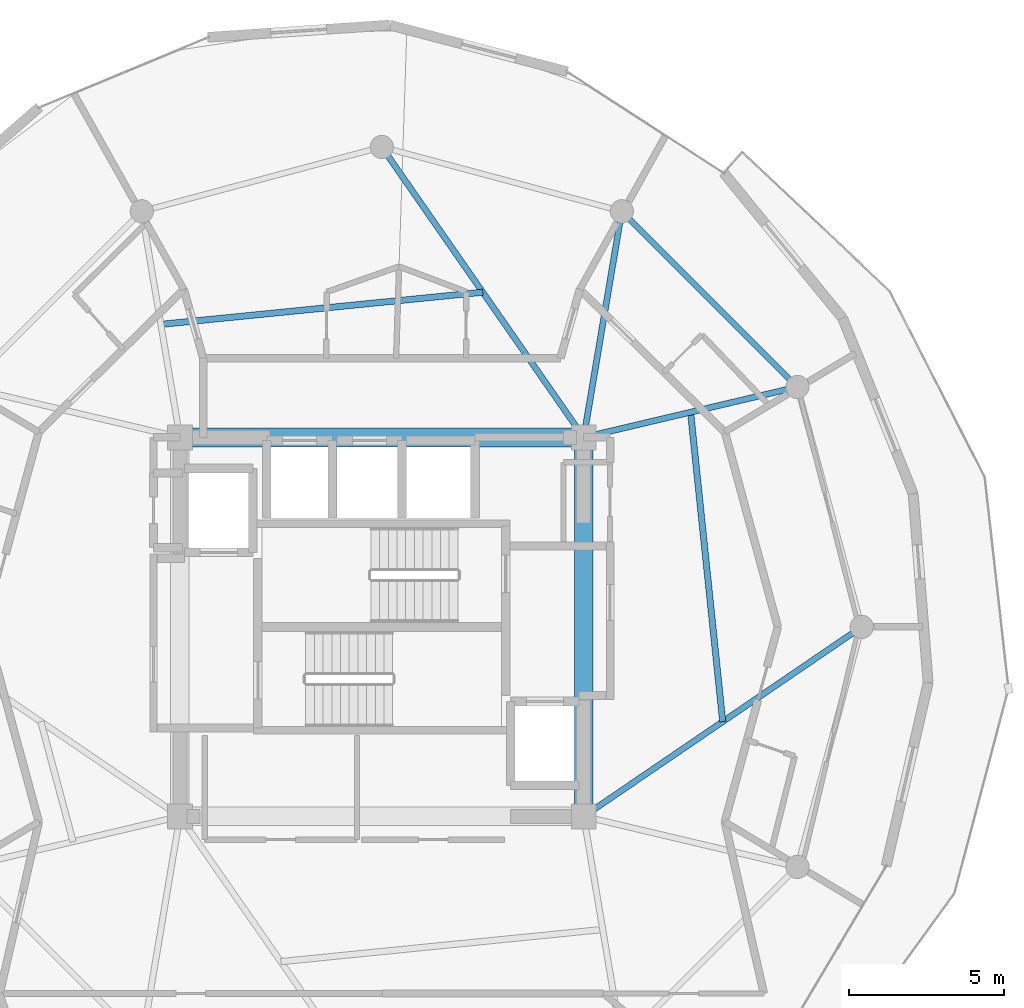
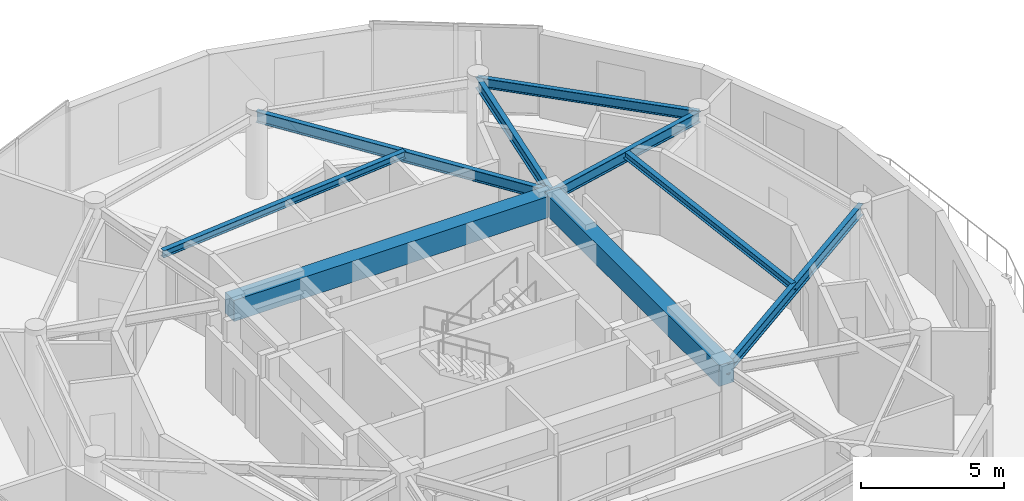
# One storey, part 11 of 22: 9 beams.
"""IFC4 building model written with IfcOpenShell, lengths in metres."""

import ifcopenshell
import ifcopenshell.guid

model = None  # the IFC model being written
_history = None  # IfcOwnerHistory: only IFC2X3 demands one
_inside = {}  # id of a spatial element -> (the spatial element, [elements in it])
_under = {}  # id of a project, library or spatial element -> (it, [spatial elements below it])
_declared = {}  # id of a project -> (the project, [libraries it declares])
_typed = {}  # id of a type object -> (the type object, [elements of that type])
_made_of = {}  # id of a material, layer set ... -> (it, [elements and type objects made of it])


def new_model(schema):
    """Start an empty IFC model of exactly this schema.

    Asked for "IFC4X3", IfcOpenShell would pick the latest addendum, in which some entities
    have other attributes; the version numbers below select the first issue.
    IFC2X3 requires an IfcOwnerHistory on every rooted entity: one is made here for all.
    """
    global model, _history
    if schema == "IFC4X3":
        model = ifcopenshell.file(schema_version=(4, 3, 0, 0))
    else:
        model = ifcopenshell.file(schema=schema)
    _inside.clear()
    _under.clear()
    _declared.clear()
    _typed.clear()
    _made_of.clear()
    _history = None
    if model.schema == "IFC2X3":
        org = make("IfcOrganization", Name="unknown")
        user = make(
            "IfcPersonAndOrganization",
            ThePerson=make("IfcPerson", FamilyName="unknown"),
            TheOrganization=org,
        )
        app = make(
            "IfcApplication",
            ApplicationDeveloper=org,
            Version="unknown",
            ApplicationFullName="unknown",
            ApplicationIdentifier="unknown",
        )
        _history = make(
            "IfcOwnerHistory",
            OwningUser=user,
            OwningApplication=app,
            ChangeAction="ADDED",
            CreationDate=0,
        )
    return model


def make(cls, **values):
    """One entity of the class cls with the attributes given. An attribute that is None is left unset."""
    return model.create_entity(
        cls, **{name: value for name, value in values.items() if value is not None}
    )


def rooted(cls, **values):
    """An entity with a GlobalId (a new one), such as an element, a storey or a relation."""
    return make(cls, GlobalId=ifcopenshell.guid.new(), OwnerHistory=_history, **values)


def si_unit(unit_type, name, prefix=None):
    """IfcSIUnit, for example si_unit("LENGTHUNIT", "METRE", prefix="MILLI")."""
    return make("IfcSIUnit", UnitType=unit_type, Prefix=prefix, Name=name)


def assignment(units):
    """IfcUnitAssignment: the units of a project."""
    return None if units is None else make("IfcUnitAssignment", Units=units)


def point(xyz):
    """IfcCartesianPoint."""
    return None if xyz is None else make("IfcCartesianPoint", Coordinates=xyz)


def direction(xyz):
    """IfcDirection."""
    return None if xyz is None else make("IfcDirection", DirectionRatios=xyz)


def frame(location, z_axis=None, x_axis=None):
    """IfcAxis2Placement3D, a coordinate frame: its origin and axes. An axis left out is left unset."""
    return make(
        "IfcAxis2Placement3D",
        Location=point(location),
        Axis=direction(z_axis),
        RefDirection=direction(x_axis),
    )


def frame_2d(location, x_axis=None):
    """IfcAxis2Placement2D, a coordinate frame in the plane: its origin and x axis."""
    return make(
        "IfcAxis2Placement2D", Location=point(location), RefDirection=direction(x_axis)
    )


def origin():
    """The frame at (0, 0, 0) with its axes left unset."""
    return frame((0.0, 0.0, 0.0))


def origin_2d():
    """The frame at (0, 0) in the plane with its x axis left unset."""
    return frame_2d((0.0, 0.0))


def place(relative_to, where):
    """IfcLocalPlacement: puts the frame where relative to a parent placement (None: the world)."""
    return make(
        "IfcLocalPlacement", PlacementRelTo=relative_to, RelativePlacement=where
    )


def context(
    kind, dimensions, precision=None, world=None, true_north=None, identifier=None
):
    """IfcGeometricRepresentationContext, for example the 3D "Model" context."""
    return make(
        "IfcGeometricRepresentationContext",
        ContextIdentifier=identifier,
        ContextType=kind,
        CoordinateSpaceDimension=dimensions,
        Precision=precision,
        WorldCoordinateSystem=world,
        TrueNorth=true_north,
    )


def subcontext(parent, identifier, kind, view, scale=None):
    """IfcGeometricRepresentationSubContext, for example "Body" below "Model"."""
    return make(
        "IfcGeometricRepresentationSubContext",
        ContextIdentifier=identifier,
        ContextType=kind,
        ParentContext=parent,
        TargetScale=scale,
        TargetView=view,
    )


def project(units=None, contexts=None):
    """IfcProject with its units and contexts."""
    return rooted(
        "IfcProject",
        Name="project",
        RepresentationContexts=contexts,
        UnitsInContext=assignment(units),
    )


def spatial(cls, under=None, at=None, **own):
    """A site, building, storey or space (cls), placed at a placement, below another one or the project."""
    s = rooted(cls, ObjectPlacement=at, **own)
    if under is not None:
        _under.setdefault(under.id(), (under, []))[1].append(s)
    return s


def profile(cls, at=None, kind="AREA", **sizes):
    """A parametric profile (cls). Its sizes go by their IFC names, for example OverallWidth=200.0."""
    return make(cls, ProfileType=kind, Position=at, **sizes)


def rectangle(**sizes):
    """IfcRectangleProfileDef."""
    return profile("IfcRectangleProfileDef", **sizes)


def i_section(**sizes):
    """IfcIShapeProfileDef."""
    return profile("IfcIShapeProfileDef", **sizes)


def extrude(swept, where, along, depth):
    """IfcExtrudedAreaSolid: the profile swept, set in the frame where, extruded along a direction by depth."""
    return make(
        "IfcExtrudedAreaSolid",
        SweptArea=swept,
        Position=where,
        ExtrudedDirection=direction(along),
        Depth=depth,
    )


def shape(context_of_items, identifier, shape_type, items):
    """IfcShapeRepresentation: the items that make up one representation, for example the "Body"."""
    return make(
        "IfcShapeRepresentation",
        ContextOfItems=context_of_items,
        RepresentationIdentifier=identifier,
        RepresentationType=shape_type,
        Items=items,
    )


def material(Name=None, Category=None):
    """IfcMaterial."""
    return make("IfcMaterial", Name=Name, Category=Category)


def material_profile(
    of_material, cross_section, Name=None, Category=None, Priority=None
):
    """IfcMaterialProfile: a cross section and its material."""
    return make(
        "IfcMaterialProfile",
        Name=Name,
        Material=of_material,
        Profile=cross_section,
        Priority=Priority,
        Category=Category,
    )


def profile_set(profiles, Name=None, composite=None):
    """IfcMaterialProfileSet."""
    return make(
        "IfcMaterialProfileSet",
        Name=Name,
        MaterialProfiles=profiles,
        CompositeProfile=composite,
    )


def made_of(thing, what):
    """Note that an element or type object is made of a material, layer set ...; save() writes the relation."""
    if what is not None:
        _made_of.setdefault(what.id(), (what, []))[1].append(thing)
    return thing


def type_object(cls, material=None, **own):
    """A type object (cls), such as IfcWallType, which elements share."""
    return made_of(rooted(cls, **own), material)


def element(
    cls,
    number,
    at=None,
    inside=None,
    cuts=None,
    type_object=None,
    material=None,
    context=None,
    identifier="Body",
    shape_type=None,
    held_by="IfcProductDefinitionShape",
    body=None,
    shapes=None,
    **own,
):
    """One element of the class cls, such as IfcWall. Its Tag is "e" and its number.

    at: its placement. inside: the storey or other place that contains it. cuts: it is an
    opening in that element (IfcRelVoidsElement). A single representation is given by context,
    identifier, shape_type and body (its items); several are given by shapes. held_by: the class
    of the entity that holds the representations. save() writes the other relations.
    """
    e = rooted(cls, Tag="e%d" % number, ObjectPlacement=at, **own)
    if body is not None:
        shapes = [shape(context, identifier, shape_type, body)]
    if shapes is not None:
        e.Representation = make(held_by, Representations=shapes)
    if inside is not None:
        _inside.setdefault(inside.id(), (inside, []))[1].append(e)
    if cuts is not None:
        rooted(
            "IfcRelVoidsElement", RelatingBuildingElement=cuts, RelatedOpeningElement=e
        )
    if type_object is not None:
        _typed.setdefault(type_object.id(), (type_object, []))[1].append(e)
    return made_of(e, material)


def aggregate(whole, parts):
    """IfcRelAggregates: a whole, such as a stair, and the parts it consists of."""
    return rooted("IfcRelAggregates", RelatingObject=whole, RelatedObjects=parts)


def save(model, path):
    """Write the relations noted so far, then the file.

    IfcRelAggregates (storeys below a building ...), IfcRelContainedInSpatialStructure (elements
    in a storey), IfcRelDefinesByType, IfcRelAssociatesMaterial and IfcRelDeclares: one each for
    every whole, place, type object, material and project.
    """
    for whole, parts in _under.values():
        aggregate(whole, parts)
    for where, things in _inside.values():
        rooted(
            "IfcRelContainedInSpatialStructure",
            RelatedElements=things,
            RelatingStructure=where,
        )
    for kind, things in _typed.values():
        rooted("IfcRelDefinesByType", RelatedObjects=things, RelatingType=kind)
    for what, things in _made_of.values():
        rooted("IfcRelAssociatesMaterial", RelatedObjects=things, RelatingMaterial=what)
    for by, libraries in _declared.values():
        rooted("IfcRelDeclares", RelatingContext=by, RelatedDefinitions=libraries)
    model.write(path)


model = new_model("IFC4")

# Units and contexts
model_context = context("Model", 3, precision=1e-05, world=origin(), true_north=direction((0.0, 1.0)))
body_context = subcontext(model_context, "Body", "Model", "MODEL_VIEW")
ifc_project = project(units=[si_unit("LENGTHUNIT", "METRE"), si_unit("AREAUNIT", "SQUARE_METRE"), si_unit("VOLUMEUNIT", "CUBIC_METRE"), si_unit("PLANEANGLEUNIT", "RADIAN"), si_unit("MASSUNIT", "GRAM", prefix="KILO")], contexts=[model_context])

# Site, building, storey
site_placement = place(None, origin())
site = spatial("IfcSite", under=ifc_project, at=site_placement, CompositionType="ELEMENT")
building_placement = place(site_placement, origin())
building = spatial("IfcBuilding", under=site, at=building_placement, Name="Solvirekh Grand Hotel", CompositionType="ELEMENT")
storey_placement = place(building_placement, frame((0.0, 0.0, 243.0)))
storey = spatial("IfcBuildingStorey", under=building, at=storey_placement, Name="L63", CompositionType="ELEMENT", Elevation=243.0)

# Beams
ifc_material_1 = material(Name="Concrete C50/60", Category="concrete")
ifc_material_profile_1 = material_profile(ifc_material_1, rectangle(XDim=0.60009765625, YDim=0.89990234375, at=origin_2d()), Name="RC BEAM 600X900")
ifc_profile_set_1 = profile_set([ifc_material_profile_1], Name="Concrete C50/60")
beam_type_1 = type_object("IfcBeamType", Name="Beam_Core_RC900", PredefinedType="BEAM", material=ifc_profile_set_1)
beam_1_placement = place(storey_placement, frame((6.5, -6.10009765625, 3.1201171875), z_axis=(0.0, 1.0, 0.0), x_axis=(-1.0, 0.0, 0.0)))
element("IfcBeam", 1, at=beam_1_placement, inside=storey, type_object=beam_type_1, Name="L63 core coupling ring beam 2", PredefinedType="BEAM", context=body_context, shape_type="SweptSolid", body=[
    extrude(rectangle(XDim=0.60009765625, YDim=0.89990234375, at=origin_2d()), origin(), (0.0, 0.0, 1.0), 12.2001953125),
])
beam_2_placement = place(storey_placement, frame((6.5, 6.10009765625, 3.1201171875), z_axis=(-1.0, 0.0, 0.0), x_axis=(0.0, -1.0, 0.0)))
element("IfcBeam", 2, at=beam_2_placement, inside=storey, type_object=beam_type_1, Name="L63 core coupling ring beam 3", PredefinedType="BEAM", context=body_context, shape_type="SweptSolid", body=[
    extrude(rectangle(XDim=0.60009765625, YDim=0.89990234375, at=origin_2d()), origin(), (0.0, 0.0, 1.0), 13.0),
])
ifc_material_2 = material(Name="Steel S355", Category="steel")
ifc_material_profile_2 = material_profile(ifc_material_2, i_section(OverallWidth=0.194091796875, OverallDepth=0.468994140625, WebThickness=0.010986328125, FlangeThickness=0.01904296875, FilletRadius=0.012939453125, at=origin_2d()), Name="W460X106")
ifc_profile_set_2 = profile_set([ifc_material_profile_2], Name="Steel S355")
beam_type_2 = type_object("IfcBeamType", Name="Beam_Radial_W460H", PredefinedType="BEAM", material=ifc_profile_set_2)
beam_3_placement = place(storey_placement, frame((6.5, -6.10009765625, 3.3349609375), z_axis=(0.826319370306, 0.563201827285, 0.0), x_axis=(-0.563201827285, 0.826319370306, 0.0)))
element("IfcBeam", 3, at=beam_3_placement, inside=storey, type_object=beam_type_2, Name="L63 radial floor beam R01", PredefinedType="BEAM", context=body_context, shape_type="SweptSolid", body=[
    extrude(i_section(OverallWidth=0.194091796875, OverallDepth=0.468994140625, WebThickness=0.010986328125, FlangeThickness=0.01904296875, FilletRadius=0.012939453125, at=origin_2d()), origin(), (0.0, 0.0, 1.0), 10.8310546875),
])
beam_4_placement = place(storey_placement, frame((6.5, 6.10009765625, 3.3349609375), z_axis=(0.973221147544, 0.229870828888, 0.0), x_axis=(-0.229870828888, 0.973221147544, 0.0)))
element("IfcBeam", 4, at=beam_4_placement, inside=storey, type_object=beam_type_2, Name="L63 radial floor beam R02", PredefinedType="BEAM", context=body_context, shape_type="SweptSolid", body=[
    extrude(i_section(OverallWidth=0.194091796875, OverallDepth=0.468994140625, WebThickness=0.010986328125, FlangeThickness=0.01904296875, FilletRadius=0.012939453125, at=origin_2d()), origin(), (0.0, 0.0, 1.0), 7.069091796875),
])
beam_5_placement = place(storey_placement, frame((6.5, 6.10009765625, 3.3349609375), z_axis=(0.165954049106, 0.986133486697, 0.0), x_axis=(-0.986133486697, 0.165954049106, 0.0)))
element("IfcBeam", 5, at=beam_5_placement, inside=storey, type_object=beam_type_2, Name="L63 radial floor beam R03", PredefinedType="BEAM", context=body_context, shape_type="SweptSolid", body=[
    extrude(i_section(OverallWidth=0.194091796875, OverallDepth=0.468994140625, WebThickness=0.010986328125, FlangeThickness=0.01904296875, FilletRadius=0.012939453125, at=origin_2d()), origin(), (0.0, 0.0, 1.0), 7.382080078125),
])
beam_6_placement = place(storey_placement, frame((6.5, 6.10009765625, 3.3349609375), z_axis=(-0.570813192472, 0.821079959139, 0.0), x_axis=(-0.821079959139, -0.570813192472, 0.0)))
element("IfcBeam", 6, at=beam_6_placement, inside=storey, type_object=beam_type_2, Name="L63 radial floor beam R04", PredefinedType="BEAM", context=body_context, shape_type="SweptSolid", body=[
    extrude(i_section(OverallWidth=0.194091796875, OverallDepth=0.468994140625, WebThickness=0.010986328125, FlangeThickness=0.01904296875, FilletRadius=0.012939453125, at=origin_2d()), origin(), (0.0, 0.0, 1.0), 11.38720703125),
])
ifc_material_profile_3 = material_profile(ifc_material_2, i_section(OverallWidth=0.202880859375, OverallDepth=0.302978515625, WebThickness=0.008056640625, FlangeThickness=0.012939453125, FilletRadius=0.010009765625, at=origin_2d()), Name="W310X60")
ifc_profile_set_3 = profile_set([ifc_material_profile_3], Name="Steel S355")
beam_type_3 = type_object("IfcBeamType", Name="Joist_Floor_W310", PredefinedType="JOIST", material=ifc_profile_set_3)
beam_7_placement = place(storey_placement, frame((10.97509765625, -3.050048828125, 3.41796875), z_axis=(-0.103352382469, 0.994644803454, 0.0), x_axis=(-0.994644803454, -0.103352382469, 0.0)))
element("IfcBeam", 7, at=beam_7_placement, inside=storey, type_object=beam_type_3, Name="L63 secondary composite floor joist 1", PredefinedType="JOIST", context=body_context, shape_type="SweptSolid", body=[
    extrude(i_section(OverallWidth=0.202880859375, OverallDepth=0.302978515625, WebThickness=0.008056640625, FlangeThickness=0.012939453125, FilletRadius=0.010009765625, at=origin_2d()), origin(), (0.0, 0.0, 1.0), 10.015869140625),
])
beam_8_placement = place(storey_placement, frame((3.25, 10.77490234375, 3.41796875), z_axis=(-0.995049485097, -0.099380693338, 0.0), x_axis=(0.099380693338, -0.995049485097, 0.0)))
element("IfcBeam", 8, at=beam_8_placement, inside=storey, type_object=beam_type_3, Name="L63 secondary composite floor joist 4", PredefinedType="JOIST", context=body_context, shape_type="SweptSolid", body=[
    extrude(i_section(OverallWidth=0.202880859375, OverallDepth=0.302978515625, WebThickness=0.008056640625, FlangeThickness=0.012939453125, FilletRadius=0.010009765625, at=origin_2d()), origin(), (0.0, 0.0, 1.0), 10.41357421875),
])
ifc_material_profile_4 = material_profile(ifc_material_2, i_section(OverallWidth=0.180908203125, OverallDepth=0.4169921875, WebThickness=0.010009765625, FlangeThickness=0.01611328125, FilletRadius=0.011962890625, at=origin_2d()), Name="W410X85")
ifc_profile_set_4 = profile_set([ifc_material_profile_4], Name="Steel S355")
beam_type_4 = type_object("IfcBeamType", Name="Spandrel_Ring_W410", PredefinedType="SPANDREL", material=ifc_profile_set_4)
beam_9_placement = place(storey_placement, frame((13.3798828125, 7.72509765625, 3.362060546875), z_axis=(-0.707106781187, 0.707106781187, 0.0), x_axis=(-0.707106781187, -0.707106781187, 0.0)))
element("IfcBeam", 9, at=beam_9_placement, inside=storey, type_object=beam_type_4, Name="L63 perimeter spandrel beam 2", PredefinedType="SPANDREL", context=body_context, shape_type="SweptSolid", body=[
    extrude(i_section(OverallWidth=0.180908203125, OverallDepth=0.4169921875, WebThickness=0.010009765625, FlangeThickness=0.01611328125, FilletRadius=0.011962890625, at=origin_2d()), origin(), (0.0, 0.0, 1.0), 7.9970703125),
])

save(model, "model.ifc")
